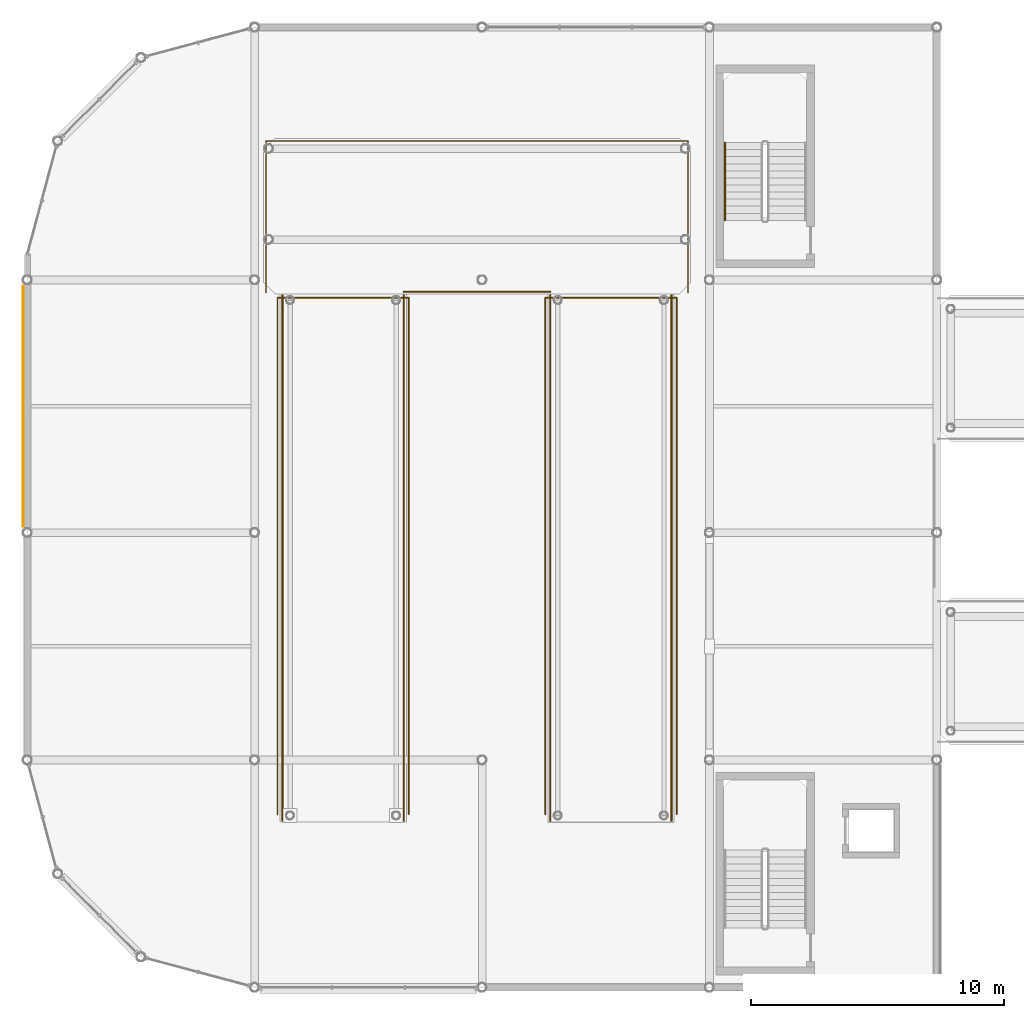
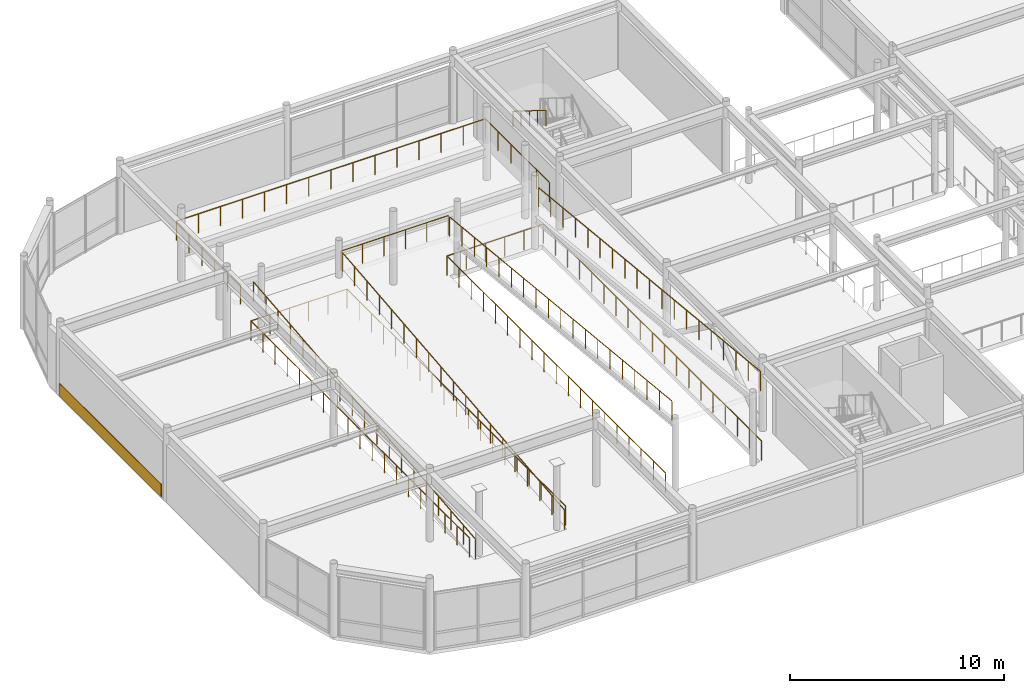
# One storey, part 98 of 108: 9 railings, 1 covering.
"""IFC4 building model written with IfcOpenShell, lengths in metres."""

import ifcopenshell
import ifcopenshell.guid

model = None  # the IFC model being written
_history = None  # IfcOwnerHistory: only IFC2X3 demands one
_inside = {}  # id of a spatial element -> (the spatial element, [elements in it])
_under = {}  # id of a project, library or spatial element -> (it, [spatial elements below it])
_declared = {}  # id of a project -> (the project, [libraries it declares])
_typed = {}  # id of a type object -> (the type object, [elements of that type])
_made_of = {}  # id of a material, layer set ... -> (it, [elements and type objects made of it])


def new_model(schema):
    """Start an empty IFC model of exactly this schema.

    Asked for "IFC4X3", IfcOpenShell would pick the latest addendum, in which some entities
    have other attributes; the version numbers below select the first issue.
    IFC2X3 requires an IfcOwnerHistory on every rooted entity: one is made here for all.
    """
    global model, _history
    if schema == "IFC4X3":
        model = ifcopenshell.file(schema_version=(4, 3, 0, 0))
    else:
        model = ifcopenshell.file(schema=schema)
    _inside.clear()
    _under.clear()
    _declared.clear()
    _typed.clear()
    _made_of.clear()
    _history = None
    if model.schema == "IFC2X3":
        org = make("IfcOrganization", Name="unknown")
        user = make(
            "IfcPersonAndOrganization",
            ThePerson=make("IfcPerson", FamilyName="unknown"),
            TheOrganization=org,
        )
        app = make(
            "IfcApplication",
            ApplicationDeveloper=org,
            Version="unknown",
            ApplicationFullName="unknown",
            ApplicationIdentifier="unknown",
        )
        _history = make(
            "IfcOwnerHistory",
            OwningUser=user,
            OwningApplication=app,
            ChangeAction="ADDED",
            CreationDate=0,
        )
    return model


def make(cls, **values):
    """One entity of the class cls with the attributes given. An attribute that is None is left unset."""
    return model.create_entity(
        cls, **{name: value for name, value in values.items() if value is not None}
    )


def rooted(cls, **values):
    """An entity with a GlobalId (a new one), such as an element, a storey or a relation."""
    return make(cls, GlobalId=ifcopenshell.guid.new(), OwnerHistory=_history, **values)


def si_unit(unit_type, name, prefix=None):
    """IfcSIUnit, for example si_unit("LENGTHUNIT", "METRE", prefix="MILLI")."""
    return make("IfcSIUnit", UnitType=unit_type, Prefix=prefix, Name=name)


def assignment(units):
    """IfcUnitAssignment: the units of a project."""
    return None if units is None else make("IfcUnitAssignment", Units=units)


def point(xyz):
    """IfcCartesianPoint."""
    return None if xyz is None else make("IfcCartesianPoint", Coordinates=xyz)


def direction(xyz):
    """IfcDirection."""
    return None if xyz is None else make("IfcDirection", DirectionRatios=xyz)


def frame(location, z_axis=None, x_axis=None):
    """IfcAxis2Placement3D, a coordinate frame: its origin and axes. An axis left out is left unset."""
    return make(
        "IfcAxis2Placement3D",
        Location=point(location),
        Axis=direction(z_axis),
        RefDirection=direction(x_axis),
    )


def frame_2d(location, x_axis=None):
    """IfcAxis2Placement2D, a coordinate frame in the plane: its origin and x axis."""
    return make(
        "IfcAxis2Placement2D", Location=point(location), RefDirection=direction(x_axis)
    )


def origin():
    """The frame at (0, 0, 0) with its axes left unset."""
    return frame((0.0, 0.0, 0.0))


def origin_2d():
    """The frame at (0, 0) in the plane with its x axis left unset."""
    return frame_2d((0.0, 0.0))


def place(relative_to, where):
    """IfcLocalPlacement: puts the frame where relative to a parent placement (None: the world)."""
    return make(
        "IfcLocalPlacement", PlacementRelTo=relative_to, RelativePlacement=where
    )


def context(
    kind, dimensions, precision=None, world=None, true_north=None, identifier=None
):
    """IfcGeometricRepresentationContext, for example the 3D "Model" context."""
    return make(
        "IfcGeometricRepresentationContext",
        ContextIdentifier=identifier,
        ContextType=kind,
        CoordinateSpaceDimension=dimensions,
        Precision=precision,
        WorldCoordinateSystem=world,
        TrueNorth=true_north,
    )


def subcontext(parent, identifier, kind, view, scale=None):
    """IfcGeometricRepresentationSubContext, for example "Body" below "Model"."""
    return make(
        "IfcGeometricRepresentationSubContext",
        ContextIdentifier=identifier,
        ContextType=kind,
        ParentContext=parent,
        TargetScale=scale,
        TargetView=view,
    )


def project(units=None, contexts=None):
    """IfcProject with its units and contexts."""
    return rooted(
        "IfcProject",
        Name="project",
        RepresentationContexts=contexts,
        UnitsInContext=assignment(units),
    )


def spatial(cls, under=None, at=None, **own):
    """A site, building, storey or space (cls), placed at a placement, below another one or the project."""
    s = rooted(cls, ObjectPlacement=at, **own)
    if under is not None:
        _under.setdefault(under.id(), (under, []))[1].append(s)
    return s


def profile(cls, at=None, kind="AREA", **sizes):
    """A parametric profile (cls). Its sizes go by their IFC names, for example OverallWidth=200.0."""
    return make(cls, ProfileType=kind, Position=at, **sizes)


def rectangle(**sizes):
    """IfcRectangleProfileDef."""
    return profile("IfcRectangleProfileDef", **sizes)


def circle(**sizes):
    """IfcCircleProfileDef."""
    return profile("IfcCircleProfileDef", **sizes)


def extrude(swept, where, along, depth):
    """IfcExtrudedAreaSolid: the profile swept, set in the frame where, extruded along a direction by depth."""
    return make(
        "IfcExtrudedAreaSolid",
        SweptArea=swept,
        Position=where,
        ExtrudedDirection=direction(along),
        Depth=depth,
    )


def shape(context_of_items, identifier, shape_type, items):
    """IfcShapeRepresentation: the items that make up one representation, for example the "Body"."""
    return make(
        "IfcShapeRepresentation",
        ContextOfItems=context_of_items,
        RepresentationIdentifier=identifier,
        RepresentationType=shape_type,
        Items=items,
    )


def material(Name=None, Category=None):
    """IfcMaterial."""
    return make("IfcMaterial", Name=Name, Category=Category)


def layer(
    of_material, thickness, ventilated=None, Name=None, Category=None, Priority=None
):
    """IfcMaterialLayer: one layer of a wall or slab, of a material (None: an air gap)."""
    return make(
        "IfcMaterialLayer",
        Material=of_material,
        LayerThickness=thickness,
        IsVentilated=ventilated,
        Name=Name,
        Category=Category,
        Priority=Priority,
    )


def layer_set(layers, Name=None):
    """IfcMaterialLayerSet."""
    return make("IfcMaterialLayerSet", MaterialLayers=layers, LayerSetName=Name)


def made_of(thing, what):
    """Note that an element or type object is made of a material, layer set ...; save() writes the relation."""
    if what is not None:
        _made_of.setdefault(what.id(), (what, []))[1].append(thing)
    return thing


def type_object(cls, material=None, **own):
    """A type object (cls), such as IfcWallType, which elements share."""
    return made_of(rooted(cls, **own), material)


def element(
    cls,
    number,
    at=None,
    inside=None,
    cuts=None,
    type_object=None,
    material=None,
    context=None,
    identifier="Body",
    shape_type=None,
    held_by="IfcProductDefinitionShape",
    body=None,
    shapes=None,
    **own,
):
    """One element of the class cls, such as IfcWall. Its Tag is "e" and its number.

    at: its placement. inside: the storey or other place that contains it. cuts: it is an
    opening in that element (IfcRelVoidsElement). A single representation is given by context,
    identifier, shape_type and body (its items); several are given by shapes. held_by: the class
    of the entity that holds the representations. save() writes the other relations.
    """
    e = rooted(cls, Tag="e%d" % number, ObjectPlacement=at, **own)
    if body is not None:
        shapes = [shape(context, identifier, shape_type, body)]
    if shapes is not None:
        e.Representation = make(held_by, Representations=shapes)
    if inside is not None:
        _inside.setdefault(inside.id(), (inside, []))[1].append(e)
    if cuts is not None:
        rooted(
            "IfcRelVoidsElement", RelatingBuildingElement=cuts, RelatedOpeningElement=e
        )
    if type_object is not None:
        _typed.setdefault(type_object.id(), (type_object, []))[1].append(e)
    return made_of(e, material)


def aggregate(whole, parts):
    """IfcRelAggregates: a whole, such as a stair, and the parts it consists of."""
    return rooted("IfcRelAggregates", RelatingObject=whole, RelatedObjects=parts)


def save(model, path):
    """Write the relations noted so far, then the file.

    IfcRelAggregates (storeys below a building ...), IfcRelContainedInSpatialStructure (elements
    in a storey), IfcRelDefinesByType, IfcRelAssociatesMaterial and IfcRelDeclares: one each for
    every whole, place, type object, material and project.
    """
    for whole, parts in _under.values():
        aggregate(whole, parts)
    for where, things in _inside.values():
        rooted(
            "IfcRelContainedInSpatialStructure",
            RelatedElements=things,
            RelatingStructure=where,
        )
    for kind, things in _typed.values():
        rooted("IfcRelDefinesByType", RelatedObjects=things, RelatingType=kind)
    for what, things in _made_of.values():
        rooted("IfcRelAssociatesMaterial", RelatedObjects=things, RelatingMaterial=what)
    for by, libraries in _declared.values():
        rooted("IfcRelDeclares", RelatingContext=by, RelatedDefinitions=libraries)
    model.write(path)


model = new_model("IFC4")

# Units and contexts
model_context = context("Model", 3, precision=1e-05, world=origin(), true_north=direction((0.0, 1.0)))
body_context = subcontext(model_context, "Body", "Model", "MODEL_VIEW")
ifc_project = project(units=[si_unit("LENGTHUNIT", "METRE"), si_unit("AREAUNIT", "SQUARE_METRE"), si_unit("VOLUMEUNIT", "CUBIC_METRE"), si_unit("PLANEANGLEUNIT", "RADIAN"), si_unit("MASSUNIT", "GRAM", prefix="KILO")], contexts=[model_context])

# Site, building, storey
site_placement = place(None, origin())
site = spatial("IfcSite", under=ifc_project, at=site_placement, CompositionType="ELEMENT")
building_placement = place(site_placement, origin())
building = spatial("IfcBuilding", under=site, at=building_placement, Name="Suzunagisa Mobility Hub", CompositionType="ELEMENT")
storey_placement = place(building_placement, frame((0.0, 0.0, 9.300048828125)))
storey = spatial("IfcBuildingStorey", under=building, at=storey_placement, Name="L02", CompositionType="ELEMENT", Elevation=9.300048828125)

# Railings
ifc_material_1 = material(Name="Stainless Steel SUS304", Category="metal")
railing_type_1 = type_object("IfcRailingType", Name="Interior Well Guardrail IGR-01", PredefinedType="GUARDRAIL", material=ifc_material_1)
railing_1_placement = place(storey_placement, frame((9.89990234375, 86.85009765625, 0.0)))
element("IfcRailing", 1, at=railing_1_placement, inside=storey, type_object=railing_type_1, Name="L02 Helical Ramp Up-Well Guardrail RG-34", PredefinedType="GUARDRAIL", context=body_context, shape_type="SweptSolid", body=[
    extrude(circle(Radius=0.02392578125, at=origin_2d()), frame((0.0, 0.0, 1.09619140625), z_axis=(0.0, 1.0, 0.0), x_axis=(-1.0, 0.0, 0.0)), (0.0, 0.0, 1.0), 20.449951171875),
    extrude(circle(Radius=0.02392578125, at=origin_2d()), frame((0.0, 20.449951171875, 1.09619140625), z_axis=(1.0, 0.0, 0.0), x_axis=(0.0, 1.0, 0.0)), (0.0, 0.0, 1.0), 5.2001953125),
    extrude(circle(Radius=0.02392578125, at=origin_2d()), frame((5.2001953125, 20.449951171875, 1.09619140625), z_axis=(0.0, -1.0, 0.0), x_axis=(1.0, 0.0, 0.0)), (0.0, 0.0, 1.0), 20.449951171875),
    extrude(circle(Radius=0.02099609375, at=origin_2d()), origin(), (0.0, 0.0, 1.0), 1.072021484375),
    extrude(circle(Radius=0.02099609375, at=origin_2d()), frame((0.0, 1.13623046875, 0.0)), (0.0, 0.0, 1.0), 1.072021484375),
    extrude(circle(Radius=0.02099609375, at=origin_2d()), frame((0.0, 2.272216796875, 0.0)), (0.0, 0.0, 1.0), 1.072021484375),
    extrude(circle(Radius=0.02099609375, at=origin_2d()), frame((0.0, 3.408203125, 0.0)), (0.0, 0.0, 1.0), 1.072021484375),
    extrude(circle(Radius=0.02099609375, at=origin_2d()), frame((0.0, 4.54443359375, 0.0)), (0.0, 0.0, 1.0), 1.072021484375),
    extrude(circle(Radius=0.02099609375, at=origin_2d()), frame((0.0, 5.6806640625, 0.0)), (0.0, 0.0, 1.0), 1.072021484375),
    extrude(circle(Radius=0.02099609375, at=origin_2d()), frame((0.0, 6.816650390625, 0.0)), (0.0, 0.0, 1.0), 1.072021484375),
    extrude(circle(Radius=0.02099609375, at=origin_2d()), frame((0.0, 7.95263671875, 0.0)), (0.0, 0.0, 1.0), 1.072021484375),
    extrude(circle(Radius=0.02099609375, at=origin_2d()), frame((0.0, 9.0888671875, 0.0)), (0.0, 0.0, 1.0), 1.072021484375),
    extrude(circle(Radius=0.02099609375, at=origin_2d()), frame((0.0, 10.22509765625, 0.0)), (0.0, 0.0, 1.0), 1.072021484375),
    extrude(circle(Radius=0.02099609375, at=origin_2d()), frame((0.0, 11.361083984375, 0.0)), (0.0, 0.0, 1.0), 1.072021484375),
    extrude(circle(Radius=0.02099609375, at=origin_2d()), frame((0.0, 12.497314453125, 0.0)), (0.0, 0.0, 1.0), 1.072021484375),
    extrude(circle(Radius=0.02099609375, at=origin_2d()), frame((0.0, 13.63330078125, 0.0)), (0.0, 0.0, 1.0), 1.072021484375),
    extrude(circle(Radius=0.02099609375, at=origin_2d()), frame((0.0, 14.76953125, 0.0)), (0.0, 0.0, 1.0), 1.072021484375),
    extrude(circle(Radius=0.02099609375, at=origin_2d()), frame((0.0, 15.905517578125, 0.0)), (0.0, 0.0, 1.0), 1.072021484375),
    extrude(circle(Radius=0.02099609375, at=origin_2d()), frame((0.0, 17.04150390625, 0.0)), (0.0, 0.0, 1.0), 1.072021484375),
    extrude(circle(Radius=0.02099609375, at=origin_2d()), frame((0.0, 18.177734375, 0.0)), (0.0, 0.0, 1.0), 1.072021484375),
    extrude(circle(Radius=0.02099609375, at=origin_2d()), frame((0.0, 19.31396484375, 0.0)), (0.0, 0.0, 1.0), 1.072021484375),
    extrude(circle(Radius=0.02099609375, at=origin_2d()), frame((0.0, 20.449951171875, 0.0)), (0.0, 0.0, 1.0), 1.072021484375),
    extrude(circle(Radius=0.02099609375, at=origin_2d()), frame((1.0400390625, 20.449951171875, 0.0)), (0.0, 0.0, 1.0), 1.072021484375),
    extrude(circle(Radius=0.02099609375, at=origin_2d()), frame((2.080078125, 20.449951171875, 0.0)), (0.0, 0.0, 1.0), 1.072021484375),
    extrude(circle(Radius=0.02099609375, at=origin_2d()), frame((3.1201171875, 20.449951171875, 0.0)), (0.0, 0.0, 1.0), 1.072021484375),
    extrude(circle(Radius=0.02099609375, at=origin_2d()), frame((4.16015625, 20.449951171875, 0.0)), (0.0, 0.0, 1.0), 1.072021484375),
    extrude(circle(Radius=0.02099609375, at=origin_2d()), frame((5.2001953125, 20.449951171875, 0.0)), (0.0, 0.0, 1.0), 1.072021484375),
    extrude(circle(Radius=0.02099609375, at=origin_2d()), frame((5.2001953125, 19.31396484375, 0.0)), (0.0, 0.0, 1.0), 1.072021484375),
    extrude(circle(Radius=0.02099609375, at=origin_2d()), frame((5.2001953125, 18.177734375, 0.0)), (0.0, 0.0, 1.0), 1.072021484375),
    extrude(circle(Radius=0.02099609375, at=origin_2d()), frame((5.2001953125, 17.04150390625, 0.0)), (0.0, 0.0, 1.0), 1.072021484375),
    extrude(circle(Radius=0.02099609375, at=origin_2d()), frame((5.2001953125, 15.905517578125, 0.0)), (0.0, 0.0, 1.0), 1.072021484375),
    extrude(circle(Radius=0.02099609375, at=origin_2d()), frame((5.2001953125, 14.76953125, 0.0)), (0.0, 0.0, 1.0), 1.072021484375),
    extrude(circle(Radius=0.02099609375, at=origin_2d()), frame((5.2001953125, 13.63330078125, 0.0)), (0.0, 0.0, 1.0), 1.072021484375),
    extrude(circle(Radius=0.02099609375, at=origin_2d()), frame((5.2001953125, 12.4970703125, 0.0)), (0.0, 0.0, 1.0), 1.072021484375),
    extrude(circle(Radius=0.02099609375, at=origin_2d()), frame((5.2001953125, 11.361083984375, 0.0)), (0.0, 0.0, 1.0), 1.072021484375),
    extrude(circle(Radius=0.02099609375, at=origin_2d()), frame((5.2001953125, 10.22509765625, 0.0)), (0.0, 0.0, 1.0), 1.072021484375),
    extrude(circle(Radius=0.02099609375, at=origin_2d()), frame((5.2001953125, 9.0888671875, 0.0)), (0.0, 0.0, 1.0), 1.072021484375),
    extrude(circle(Radius=0.02099609375, at=origin_2d()), frame((5.2001953125, 7.95263671875, 0.0)), (0.0, 0.0, 1.0), 1.072021484375),
    extrude(circle(Radius=0.02099609375, at=origin_2d()), frame((5.2001953125, 6.816650390625, 0.0)), (0.0, 0.0, 1.0), 1.072021484375),
    extrude(circle(Radius=0.02099609375, at=origin_2d()), frame((5.2001953125, 5.6806640625, 0.0)), (0.0, 0.0, 1.0), 1.072021484375),
    extrude(circle(Radius=0.02099609375, at=origin_2d()), frame((5.2001953125, 4.54443359375, 0.0)), (0.0, 0.0, 1.0), 1.072021484375),
    extrude(circle(Radius=0.02099609375, at=origin_2d()), frame((5.2001953125, 3.408203125, 0.0)), (0.0, 0.0, 1.0), 1.072021484375),
    extrude(circle(Radius=0.02099609375, at=origin_2d()), frame((5.2001953125, 2.272216796875, 0.0)), (0.0, 0.0, 1.0), 1.072021484375),
    extrude(circle(Radius=0.02099609375, at=origin_2d()), frame((5.2001953125, 1.13623046875, 0.0)), (0.0, 0.0, 1.0), 1.072021484375),
    extrude(circle(Radius=0.02099609375, at=origin_2d()), frame((5.2001953125, 0.0, 0.0)), (0.0, 0.0, 1.0), 1.072021484375),
])
railing_2_placement = place(storey_placement, frame((20.5, 86.85009765625, 0.0)))
element("IfcRailing", 2, at=railing_2_placement, inside=storey, type_object=railing_type_1, Name="L02 Helical Ramp Arrival Well Guardrail RG-35", PredefinedType="GUARDRAIL", context=body_context, shape_type="SweptSolid", body=[
    extrude(circle(Radius=0.02392578125, at=origin_2d()), frame((0.0, 0.0, 1.09619140625), z_axis=(0.0, 1.0, 0.0), x_axis=(-1.0, 0.0, 0.0)), (0.0, 0.0, 1.0), 20.449951171875),
    extrude(circle(Radius=0.02392578125, at=origin_2d()), frame((0.0, 20.449951171875, 1.09619140625), z_axis=(1.0, 0.0, 0.0), x_axis=(0.0, 1.0, 0.0)), (0.0, 0.0, 1.0), 5.199951171875),
    extrude(circle(Radius=0.02392578125, at=origin_2d()), frame((5.199951171875, 20.449951171875, 1.09619140625), z_axis=(0.0, -1.0, 0.0), x_axis=(1.0, 0.0, 0.0)), (0.0, 0.0, 1.0), 20.449951171875),
    extrude(circle(Radius=0.02099609375, at=origin_2d()), origin(), (0.0, 0.0, 1.0), 1.072021484375),
    extrude(circle(Radius=0.02099609375, at=origin_2d()), frame((0.0, 1.13623046875, 0.0)), (0.0, 0.0, 1.0), 1.072021484375),
    extrude(circle(Radius=0.02099609375, at=origin_2d()), frame((0.0, 2.272216796875, 0.0)), (0.0, 0.0, 1.0), 1.072021484375),
    extrude(circle(Radius=0.02099609375, at=origin_2d()), frame((0.0, 3.408203125, 0.0)), (0.0, 0.0, 1.0), 1.072021484375),
    extrude(circle(Radius=0.02099609375, at=origin_2d()), frame((0.0, 4.54443359375, 0.0)), (0.0, 0.0, 1.0), 1.072021484375),
    extrude(circle(Radius=0.02099609375, at=origin_2d()), frame((0.0, 5.6806640625, 0.0)), (0.0, 0.0, 1.0), 1.072021484375),
    extrude(circle(Radius=0.02099609375, at=origin_2d()), frame((0.0, 6.816650390625, 0.0)), (0.0, 0.0, 1.0), 1.072021484375),
    extrude(circle(Radius=0.02099609375, at=origin_2d()), frame((0.0, 7.95263671875, 0.0)), (0.0, 0.0, 1.0), 1.072021484375),
    extrude(circle(Radius=0.02099609375, at=origin_2d()), frame((0.0, 9.0888671875, 0.0)), (0.0, 0.0, 1.0), 1.072021484375),
    extrude(circle(Radius=0.02099609375, at=origin_2d()), frame((0.0, 10.22509765625, 0.0)), (0.0, 0.0, 1.0), 1.072021484375),
    extrude(circle(Radius=0.02099609375, at=origin_2d()), frame((0.0, 11.361083984375, 0.0)), (0.0, 0.0, 1.0), 1.072021484375),
    extrude(circle(Radius=0.02099609375, at=origin_2d()), frame((0.0, 12.497314453125, 0.0)), (0.0, 0.0, 1.0), 1.072021484375),
    extrude(circle(Radius=0.02099609375, at=origin_2d()), frame((0.0, 13.63330078125, 0.0)), (0.0, 0.0, 1.0), 1.072021484375),
    extrude(circle(Radius=0.02099609375, at=origin_2d()), frame((0.0, 14.76953125, 0.0)), (0.0, 0.0, 1.0), 1.072021484375),
    extrude(circle(Radius=0.02099609375, at=origin_2d()), frame((0.0, 15.905517578125, 0.0)), (0.0, 0.0, 1.0), 1.072021484375),
    extrude(circle(Radius=0.02099609375, at=origin_2d()), frame((0.0, 17.04150390625, 0.0)), (0.0, 0.0, 1.0), 1.072021484375),
    extrude(circle(Radius=0.02099609375, at=origin_2d()), frame((0.0, 18.177734375, 0.0)), (0.0, 0.0, 1.0), 1.072021484375),
    extrude(circle(Radius=0.02099609375, at=origin_2d()), frame((0.0, 19.31396484375, 0.0)), (0.0, 0.0, 1.0), 1.072021484375),
    extrude(circle(Radius=0.02099609375, at=origin_2d()), frame((0.0, 20.449951171875, 0.0)), (0.0, 0.0, 1.0), 1.072021484375),
    extrude(circle(Radius=0.02099609375, at=origin_2d()), frame((1.0400390625, 20.449951171875, 0.0)), (0.0, 0.0, 1.0), 1.072021484375),
    extrude(circle(Radius=0.02099609375, at=origin_2d()), frame((2.080078125, 20.449951171875, 0.0)), (0.0, 0.0, 1.0), 1.072021484375),
    extrude(circle(Radius=0.02099609375, at=origin_2d()), frame((3.119873046875, 20.449951171875, 0.0)), (0.0, 0.0, 1.0), 1.072021484375),
    extrude(circle(Radius=0.02099609375, at=origin_2d()), frame((4.159912109375, 20.449951171875, 0.0)), (0.0, 0.0, 1.0), 1.072021484375),
    extrude(circle(Radius=0.02099609375, at=origin_2d()), frame((5.199951171875, 20.449951171875, 0.0)), (0.0, 0.0, 1.0), 1.072021484375),
    extrude(circle(Radius=0.02099609375, at=origin_2d()), frame((5.199951171875, 19.31396484375, 0.0)), (0.0, 0.0, 1.0), 1.072021484375),
    extrude(circle(Radius=0.02099609375, at=origin_2d()), frame((5.199951171875, 18.177734375, 0.0)), (0.0, 0.0, 1.0), 1.072021484375),
    extrude(circle(Radius=0.02099609375, at=origin_2d()), frame((5.199951171875, 17.04150390625, 0.0)), (0.0, 0.0, 1.0), 1.072021484375),
    extrude(circle(Radius=0.02099609375, at=origin_2d()), frame((5.199951171875, 15.905517578125, 0.0)), (0.0, 0.0, 1.0), 1.072021484375),
    extrude(circle(Radius=0.02099609375, at=origin_2d()), frame((5.199951171875, 14.76953125, 0.0)), (0.0, 0.0, 1.0), 1.072021484375),
    extrude(circle(Radius=0.02099609375, at=origin_2d()), frame((5.199951171875, 13.63330078125, 0.0)), (0.0, 0.0, 1.0), 1.072021484375),
    extrude(circle(Radius=0.02099609375, at=origin_2d()), frame((5.199951171875, 12.4970703125, 0.0)), (0.0, 0.0, 1.0), 1.072021484375),
    extrude(circle(Radius=0.02099609375, at=origin_2d()), frame((5.199951171875, 11.361083984375, 0.0)), (0.0, 0.0, 1.0), 1.072021484375),
    extrude(circle(Radius=0.02099609375, at=origin_2d()), frame((5.199951171875, 10.22509765625, 0.0)), (0.0, 0.0, 1.0), 1.072021484375),
    extrude(circle(Radius=0.02099609375, at=origin_2d()), frame((5.199951171875, 9.0888671875, 0.0)), (0.0, 0.0, 1.0), 1.072021484375),
    extrude(circle(Radius=0.02099609375, at=origin_2d()), frame((5.199951171875, 7.95263671875, 0.0)), (0.0, 0.0, 1.0), 1.072021484375),
    extrude(circle(Radius=0.02099609375, at=origin_2d()), frame((5.199951171875, 6.816650390625, 0.0)), (0.0, 0.0, 1.0), 1.072021484375),
    extrude(circle(Radius=0.02099609375, at=origin_2d()), frame((5.199951171875, 5.6806640625, 0.0)), (0.0, 0.0, 1.0), 1.072021484375),
    extrude(circle(Radius=0.02099609375, at=origin_2d()), frame((5.199951171875, 4.54443359375, 0.0)), (0.0, 0.0, 1.0), 1.072021484375),
    extrude(circle(Radius=0.02099609375, at=origin_2d()), frame((5.199951171875, 3.408203125, 0.0)), (0.0, 0.0, 1.0), 1.072021484375),
    extrude(circle(Radius=0.02099609375, at=origin_2d()), frame((5.199951171875, 2.272216796875, 0.0)), (0.0, 0.0, 1.0), 1.072021484375),
    extrude(circle(Radius=0.02099609375, at=origin_2d()), frame((5.199951171875, 1.13623046875, 0.0)), (0.0, 0.0, 1.0), 1.072021484375),
    extrude(circle(Radius=0.02099609375, at=origin_2d()), frame((5.199951171875, 0.0, 0.0)), (0.0, 0.0, 1.0), 1.072021484375),
])
railing_3_placement = place(storey_placement, frame((10.10009765625, 86.60009765625, 0.0)))
element("IfcRailing", 3, at=railing_3_placement, inside=storey, type_object=railing_type_1, Name="L02 Vehicle Ramp Up-Flight Side Guard RG-36", PredefinedType="GUARDRAIL", context=body_context, shape_type="SweptSolid", body=[
    extrude(circle(Radius=0.02392578125, at=origin_2d()), frame((0.0, 0.0, 1.09619140625), z_axis=(0.0, 0.994942625084, 0.100444874388), x_axis=(-1.0, 0.0, 0.0)), (0.0, 0.0, 1.0), 20.905517578125),
    extrude(circle(Radius=0.02099609375, at=origin_2d()), origin(), (0.0, 0.0, 1.0), 1.072021484375),
    extrude(circle(Radius=0.02099609375, at=origin_2d()), frame((0.0, 1.155517578125, 0.11669921875)), (0.0, 0.0, 1.0), 1.072021484375),
    extrude(circle(Radius=0.02099609375, at=origin_2d()), frame((0.0, 2.31103515625, 0.2333984375)), (0.0, 0.0, 1.0), 1.072021484375),
    extrude(circle(Radius=0.02099609375, at=origin_2d()), frame((0.0, 3.466552734375, 0.35009765625)), (0.0, 0.0, 1.0), 1.072021484375),
    extrude(circle(Radius=0.02099609375, at=origin_2d()), frame((0.0, 4.6220703125, 0.466552734375)), (0.0, 0.0, 1.0), 1.072021484375),
    extrude(circle(Radius=0.02099609375, at=origin_2d()), frame((0.0, 5.77783203125, 0.583251953125)), (0.0, 0.0, 1.0), 1.072021484375),
    extrude(circle(Radius=0.02099609375, at=origin_2d()), frame((0.0, 6.933349609375, 0.699951171875)), (0.0, 0.0, 1.0), 1.072021484375),
    extrude(circle(Radius=0.02099609375, at=origin_2d()), frame((0.0, 8.0888671875, 0.816650390625)), (0.0, 0.0, 1.0), 1.072021484375),
    extrude(circle(Radius=0.02099609375, at=origin_2d()), frame((0.0, 9.244384765625, 0.933349609375)), (0.0, 0.0, 1.0), 1.072021484375),
    extrude(circle(Radius=0.02099609375, at=origin_2d()), frame((0.0, 10.39990234375, 1.0498046875)), (0.0, 0.0, 1.0), 1.072021484375),
    extrude(circle(Radius=0.02099609375, at=origin_2d()), frame((0.0, 11.555419921875, 1.16650390625)), (0.0, 0.0, 1.0), 1.072021484375),
    extrude(circle(Radius=0.02099609375, at=origin_2d()), frame((0.0, 12.7109375, 1.283203125)), (0.0, 0.0, 1.0), 1.072021484375),
    extrude(circle(Radius=0.02099609375, at=origin_2d()), frame((0.0, 13.866455078125, 1.39990234375)), (0.0, 0.0, 1.0), 1.072021484375),
    extrude(circle(Radius=0.02099609375, at=origin_2d()), frame((0.0, 15.02197265625, 1.5166015625)), (0.0, 0.0, 1.0), 1.072021484375),
    extrude(circle(Radius=0.02099609375, at=origin_2d()), frame((0.0, 16.177734375, 1.63330078125)), (0.0, 0.0, 1.0), 1.072021484375),
    extrude(circle(Radius=0.02099609375, at=origin_2d()), frame((0.0, 17.333251953125, 1.75)), (0.0, 0.0, 1.0), 1.072021484375),
    extrude(circle(Radius=0.02099609375, at=origin_2d()), frame((0.0, 18.48876953125, 1.866455078125)), (0.0, 0.0, 1.0), 1.072021484375),
    extrude(circle(Radius=0.02099609375, at=origin_2d()), frame((0.0, 19.644287109375, 1.983154296875)), (0.0, 0.0, 1.0), 1.072021484375),
    extrude(circle(Radius=0.02099609375, at=origin_2d()), frame((0.0, 20.7998046875, 2.099853515625)), (0.0, 0.0, 1.0), 1.072021484375),
])
railing_4_placement = place(storey_placement, frame((20.699951171875, 107.39990234375, 2.099853515625)))
element("IfcRailing", 4, at=railing_4_placement, inside=storey, type_object=railing_type_1, Name="L02 Vehicle Ramp Upper-Flight Side Guard RG-37", PredefinedType="GUARDRAIL", context=body_context, shape_type="SweptSolid", body=[
    extrude(circle(Radius=0.02392578125, at=origin_2d()), frame((0.0, 0.0, 1.09619140625), z_axis=(0.0, -0.994941457927, 0.100456434822), x_axis=(1.0, 0.0, 0.0)), (0.0, 0.0, 1.0), 20.905517578125),
    extrude(circle(Radius=0.02099609375, at=origin_2d()), origin(), (0.0, 0.0, 1.0), 1.072021484375),
    extrude(circle(Radius=0.02099609375, at=origin_2d()), frame((0.0, -1.155517578125, 0.11669921875)), (0.0, 0.0, 1.0), 1.072021484375),
    extrude(circle(Radius=0.02099609375, at=origin_2d()), frame((0.0, -2.31103515625, 0.2333984375)), (0.0, 0.0, 1.0), 1.072021484375),
    extrude(circle(Radius=0.02099609375, at=origin_2d()), frame((0.0, -3.466552734375, 0.35009765625)), (0.0, 0.0, 1.0), 1.072021484375),
    extrude(circle(Radius=0.02099609375, at=origin_2d()), frame((0.0, -4.6220703125, 0.466796875)), (0.0, 0.0, 1.0), 1.072021484375),
    extrude(circle(Radius=0.02099609375, at=origin_2d()), frame((0.0, -5.77783203125, 0.583251953125)), (0.0, 0.0, 1.0), 1.072021484375),
    extrude(circle(Radius=0.02099609375, at=origin_2d()), frame((0.0, -6.933349609375, 0.699951171875)), (0.0, 0.0, 1.0), 1.072021484375),
    extrude(circle(Radius=0.02099609375, at=origin_2d()), frame((0.0, -8.0888671875, 0.816650390625)), (0.0, 0.0, 1.0), 1.072021484375),
    extrude(circle(Radius=0.02099609375, at=origin_2d()), frame((0.0, -9.244384765625, 0.933349609375)), (0.0, 0.0, 1.0), 1.072021484375),
    extrude(circle(Radius=0.02099609375, at=origin_2d()), frame((0.0, -10.39990234375, 1.050048828125)), (0.0, 0.0, 1.0), 1.072021484375),
    extrude(circle(Radius=0.02099609375, at=origin_2d()), frame((0.0, -11.555419921875, 1.166748046875)), (0.0, 0.0, 1.0), 1.072021484375),
    extrude(circle(Radius=0.02099609375, at=origin_2d()), frame((0.0, -12.7109375, 1.283447265625)), (0.0, 0.0, 1.0), 1.072021484375),
    extrude(circle(Radius=0.02099609375, at=origin_2d()), frame((0.0, -13.866455078125, 1.400146484375)), (0.0, 0.0, 1.0), 1.072021484375),
    extrude(circle(Radius=0.02099609375, at=origin_2d()), frame((0.0, -15.02197265625, 1.516845703125)), (0.0, 0.0, 1.0), 1.072021484375),
    extrude(circle(Radius=0.02099609375, at=origin_2d()), frame((0.0, -16.177734375, 1.63330078125)), (0.0, 0.0, 1.0), 1.072021484375),
    extrude(circle(Radius=0.02099609375, at=origin_2d()), frame((0.0, -17.333251953125, 1.75)), (0.0, 0.0, 1.0), 1.072021484375),
    extrude(circle(Radius=0.02099609375, at=origin_2d()), frame((0.0, -18.48876953125, 1.86669921875)), (0.0, 0.0, 1.0), 1.072021484375),
    extrude(circle(Radius=0.02099609375, at=origin_2d()), frame((0.0, -19.644287109375, 1.9833984375)), (0.0, 0.0, 1.0), 1.072021484375),
    extrude(circle(Radius=0.02099609375, at=origin_2d()), frame((0.0, -20.7998046875, 2.10009765625)), (0.0, 0.0, 1.0), 1.072021484375),
])
railing_5_placement = place(storey_placement, frame((14.89990234375, 86.60009765625, 0.0)))
element("IfcRailing", 5, at=railing_5_placement, inside=storey, type_object=railing_type_1, Name="L02 Vehicle Ramp Up-Flight Side Guard RG-38", PredefinedType="GUARDRAIL", context=body_context, shape_type="SweptSolid", body=[
    extrude(circle(Radius=0.02392578125, at=origin_2d()), frame((0.0, 0.0, 1.09619140625), z_axis=(0.0, 0.994942625084, 0.100444874388), x_axis=(-1.0, 0.0, 0.0)), (0.0, 0.0, 1.0), 20.905517578125),
    extrude(circle(Radius=0.02099609375, at=origin_2d()), origin(), (0.0, 0.0, 1.0), 1.072021484375),
    extrude(circle(Radius=0.02099609375, at=origin_2d()), frame((0.0, 1.155517578125, 0.11669921875)), (0.0, 0.0, 1.0), 1.072021484375),
    extrude(circle(Radius=0.02099609375, at=origin_2d()), frame((0.0, 2.31103515625, 0.2333984375)), (0.0, 0.0, 1.0), 1.072021484375),
    extrude(circle(Radius=0.02099609375, at=origin_2d()), frame((0.0, 3.466552734375, 0.35009765625)), (0.0, 0.0, 1.0), 1.072021484375),
    extrude(circle(Radius=0.02099609375, at=origin_2d()), frame((0.0, 4.6220703125, 0.466552734375)), (0.0, 0.0, 1.0), 1.072021484375),
    extrude(circle(Radius=0.02099609375, at=origin_2d()), frame((0.0, 5.77783203125, 0.583251953125)), (0.0, 0.0, 1.0), 1.072021484375),
    extrude(circle(Radius=0.02099609375, at=origin_2d()), frame((0.0, 6.933349609375, 0.699951171875)), (0.0, 0.0, 1.0), 1.072021484375),
    extrude(circle(Radius=0.02099609375, at=origin_2d()), frame((0.0, 8.0888671875, 0.816650390625)), (0.0, 0.0, 1.0), 1.072021484375),
    extrude(circle(Radius=0.02099609375, at=origin_2d()), frame((0.0, 9.244384765625, 0.933349609375)), (0.0, 0.0, 1.0), 1.072021484375),
    extrude(circle(Radius=0.02099609375, at=origin_2d()), frame((0.0, 10.39990234375, 1.0498046875)), (0.0, 0.0, 1.0), 1.072021484375),
    extrude(circle(Radius=0.02099609375, at=origin_2d()), frame((0.0, 11.555419921875, 1.16650390625)), (0.0, 0.0, 1.0), 1.072021484375),
    extrude(circle(Radius=0.02099609375, at=origin_2d()), frame((0.0, 12.7109375, 1.283203125)), (0.0, 0.0, 1.0), 1.072021484375),
    extrude(circle(Radius=0.02099609375, at=origin_2d()), frame((0.0, 13.866455078125, 1.39990234375)), (0.0, 0.0, 1.0), 1.072021484375),
    extrude(circle(Radius=0.02099609375, at=origin_2d()), frame((0.0, 15.02197265625, 1.5166015625)), (0.0, 0.0, 1.0), 1.072021484375),
    extrude(circle(Radius=0.02099609375, at=origin_2d()), frame((0.0, 16.177734375, 1.63330078125)), (0.0, 0.0, 1.0), 1.072021484375),
    extrude(circle(Radius=0.02099609375, at=origin_2d()), frame((0.0, 17.333251953125, 1.75)), (0.0, 0.0, 1.0), 1.072021484375),
    extrude(circle(Radius=0.02099609375, at=origin_2d()), frame((0.0, 18.48876953125, 1.866455078125)), (0.0, 0.0, 1.0), 1.072021484375),
    extrude(circle(Radius=0.02099609375, at=origin_2d()), frame((0.0, 19.644287109375, 1.983154296875)), (0.0, 0.0, 1.0), 1.072021484375),
    extrude(circle(Radius=0.02099609375, at=origin_2d()), frame((0.0, 20.7998046875, 2.099853515625)), (0.0, 0.0, 1.0), 1.072021484375),
])
railing_6_placement = place(storey_placement, frame((25.5, 107.39990234375, 2.099853515625)))
element("IfcRailing", 6, at=railing_6_placement, inside=storey, type_object=railing_type_1, Name="L02 Vehicle Ramp Upper-Flight Side Guard RG-39", PredefinedType="GUARDRAIL", context=body_context, shape_type="SweptSolid", body=[
    extrude(circle(Radius=0.02392578125, at=origin_2d()), frame((0.0, 0.0, 1.09619140625), z_axis=(0.0, -0.994941457927, 0.100456434822), x_axis=(1.0, 0.0, 0.0)), (0.0, 0.0, 1.0), 20.905517578125),
    extrude(circle(Radius=0.02099609375, at=origin_2d()), origin(), (0.0, 0.0, 1.0), 1.072021484375),
    extrude(circle(Radius=0.02099609375, at=origin_2d()), frame((0.0, -1.155517578125, 0.11669921875)), (0.0, 0.0, 1.0), 1.072021484375),
    extrude(circle(Radius=0.02099609375, at=origin_2d()), frame((0.0, -2.31103515625, 0.2333984375)), (0.0, 0.0, 1.0), 1.072021484375),
    extrude(circle(Radius=0.02099609375, at=origin_2d()), frame((0.0, -3.466552734375, 0.35009765625)), (0.0, 0.0, 1.0), 1.072021484375),
    extrude(circle(Radius=0.02099609375, at=origin_2d()), frame((0.0, -4.6220703125, 0.466796875)), (0.0, 0.0, 1.0), 1.072021484375),
    extrude(circle(Radius=0.02099609375, at=origin_2d()), frame((0.0, -5.77783203125, 0.583251953125)), (0.0, 0.0, 1.0), 1.072021484375),
    extrude(circle(Radius=0.02099609375, at=origin_2d()), frame((0.0, -6.933349609375, 0.699951171875)), (0.0, 0.0, 1.0), 1.072021484375),
    extrude(circle(Radius=0.02099609375, at=origin_2d()), frame((0.0, -8.0888671875, 0.816650390625)), (0.0, 0.0, 1.0), 1.072021484375),
    extrude(circle(Radius=0.02099609375, at=origin_2d()), frame((0.0, -9.244384765625, 0.933349609375)), (0.0, 0.0, 1.0), 1.072021484375),
    extrude(circle(Radius=0.02099609375, at=origin_2d()), frame((0.0, -10.39990234375, 1.050048828125)), (0.0, 0.0, 1.0), 1.072021484375),
    extrude(circle(Radius=0.02099609375, at=origin_2d()), frame((0.0, -11.555419921875, 1.166748046875)), (0.0, 0.0, 1.0), 1.072021484375),
    extrude(circle(Radius=0.02099609375, at=origin_2d()), frame((0.0, -12.7109375, 1.283447265625)), (0.0, 0.0, 1.0), 1.072021484375),
    extrude(circle(Radius=0.02099609375, at=origin_2d()), frame((0.0, -13.866455078125, 1.400146484375)), (0.0, 0.0, 1.0), 1.072021484375),
    extrude(circle(Radius=0.02099609375, at=origin_2d()), frame((0.0, -15.02197265625, 1.516845703125)), (0.0, 0.0, 1.0), 1.072021484375),
    extrude(circle(Radius=0.02099609375, at=origin_2d()), frame((0.0, -16.177734375, 1.63330078125)), (0.0, 0.0, 1.0), 1.072021484375),
    extrude(circle(Radius=0.02099609375, at=origin_2d()), frame((0.0, -17.333251953125, 1.75)), (0.0, 0.0, 1.0), 1.072021484375),
    extrude(circle(Radius=0.02099609375, at=origin_2d()), frame((0.0, -18.48876953125, 1.86669921875)), (0.0, 0.0, 1.0), 1.072021484375),
    extrude(circle(Radius=0.02099609375, at=origin_2d()), frame((0.0, -19.644287109375, 1.9833984375)), (0.0, 0.0, 1.0), 1.072021484375),
    extrude(circle(Radius=0.02099609375, at=origin_2d()), frame((0.0, -20.7998046875, 2.10009765625)), (0.0, 0.0, 1.0), 1.072021484375),
])
railing_7_placement = place(storey_placement, frame((9.449951171875, 107.5, 2.099853515625)))
element("IfcRailing", 7, at=railing_7_placement, inside=storey, type_object=railing_type_1, Name="L02 Vehicle Ramp Turn-Deck Guardrail RG-40", PredefinedType="GUARDRAIL", context=body_context, shape_type="SweptSolid", body=[
    extrude(circle(Radius=0.02392578125, at=origin_2d()), frame((0.0, 0.0, 1.09619140625), z_axis=(0.0, 1.0, 0.0), x_axis=(-1.0, 0.0, 0.0)), (0.0, 0.0, 1.0), 6.0),
    extrude(circle(Radius=0.02392578125, at=origin_2d()), frame((0.0, 6.0, 1.09619140625), z_axis=(1.0, 0.0, 0.0), x_axis=(0.0, 1.0, 0.0)), (0.0, 0.0, 1.0), 16.699951171875),
    extrude(circle(Radius=0.02392578125, at=origin_2d()), frame((16.699951171875, 6.0, 1.09619140625), z_axis=(0.0, -1.0, 0.0), x_axis=(1.0, 0.0, 0.0)), (0.0, 0.0, 1.0), 6.0),
    extrude(circle(Radius=0.02099609375, at=origin_2d()), origin(), (0.0, 0.0, 1.0), 1.072021484375),
    extrude(circle(Radius=0.02099609375, at=origin_2d()), frame((0.0, 1.199951171875, 0.0)), (0.0, 0.0, 1.0), 1.072021484375),
    extrude(circle(Radius=0.02099609375, at=origin_2d()), frame((0.0, 2.39990234375, 0.0)), (0.0, 0.0, 1.0), 1.072021484375),
    extrude(circle(Radius=0.02099609375, at=origin_2d()), frame((0.0, 3.60009765625, 0.0)), (0.0, 0.0, 1.0), 1.072021484375),
    extrude(circle(Radius=0.02099609375, at=origin_2d()), frame((0.0, 4.800048828125, 0.0)), (0.0, 0.0, 1.0), 1.072021484375),
    extrude(circle(Radius=0.02099609375, at=origin_2d()), frame((0.0, 6.0, 0.0)), (0.0, 0.0, 1.0), 1.072021484375),
    extrude(circle(Radius=0.02099609375, at=origin_2d()), frame((1.19287109375, 6.0, 0.0)), (0.0, 0.0, 1.0), 1.072021484375),
    extrude(circle(Radius=0.02099609375, at=origin_2d()), frame((2.3857421875, 6.0, 0.0)), (0.0, 0.0, 1.0), 1.072021484375),
    extrude(circle(Radius=0.02099609375, at=origin_2d()), frame((3.57861328125, 6.0, 0.0)), (0.0, 0.0, 1.0), 1.072021484375),
    extrude(circle(Radius=0.02099609375, at=origin_2d()), frame((4.771484375, 6.0, 0.0)), (0.0, 0.0, 1.0), 1.072021484375),
    extrude(circle(Radius=0.02099609375, at=origin_2d()), frame((5.96435546875, 6.0, 0.0)), (0.0, 0.0, 1.0), 1.072021484375),
    extrude(circle(Radius=0.02099609375, at=origin_2d()), frame((7.1572265625, 6.0, 0.0)), (0.0, 0.0, 1.0), 1.072021484375),
    extrude(circle(Radius=0.02099609375, at=origin_2d()), frame((8.35009765625, 6.0, 0.0)), (0.0, 0.0, 1.0), 1.072021484375),
    extrude(circle(Radius=0.02099609375, at=origin_2d()), frame((9.542724609375, 6.0, 0.0)), (0.0, 0.0, 1.0), 1.072021484375),
    extrude(circle(Radius=0.02099609375, at=origin_2d()), frame((10.735595703125, 6.0, 0.0)), (0.0, 0.0, 1.0), 1.072021484375),
    extrude(circle(Radius=0.02099609375, at=origin_2d()), frame((11.928466796875, 6.0, 0.0)), (0.0, 0.0, 1.0), 1.072021484375),
    extrude(circle(Radius=0.02099609375, at=origin_2d()), frame((13.121337890625, 6.0, 0.0)), (0.0, 0.0, 1.0), 1.072021484375),
    extrude(circle(Radius=0.02099609375, at=origin_2d()), frame((14.314208984375, 6.0, 0.0)), (0.0, 0.0, 1.0), 1.072021484375),
    extrude(circle(Radius=0.02099609375, at=origin_2d()), frame((15.507080078125, 6.0, 0.0)), (0.0, 0.0, 1.0), 1.072021484375),
    extrude(circle(Radius=0.02099609375, at=origin_2d()), frame((16.699951171875, 6.0, 0.0)), (0.0, 0.0, 1.0), 1.072021484375),
    extrude(circle(Radius=0.02099609375, at=origin_2d()), frame((16.699951171875, 4.800048828125, 0.0)), (0.0, 0.0, 1.0), 1.072021484375),
    extrude(circle(Radius=0.02099609375, at=origin_2d()), frame((16.699951171875, 3.60009765625, 0.0)), (0.0, 0.0, 1.0), 1.072021484375),
    extrude(circle(Radius=0.02099609375, at=origin_2d()), frame((16.699951171875, 2.39990234375, 0.0)), (0.0, 0.0, 1.0), 1.072021484375),
    extrude(circle(Radius=0.02099609375, at=origin_2d()), frame((16.699951171875, 1.199951171875, 0.0)), (0.0, 0.0, 1.0), 1.072021484375),
    extrude(circle(Radius=0.02099609375, at=origin_2d()), frame((16.699951171875, 0.0, 0.0)), (0.0, 0.0, 1.0), 1.072021484375),
])
railing_8_placement = place(storey_placement, frame((14.89990234375, 107.530029296875, 2.099853515625)))
element("IfcRailing", 8, at=railing_8_placement, inside=storey, type_object=railing_type_1, Name="L02 Vehicle Ramp Turn-Slot Guardrail RG-41", PredefinedType="GUARDRAIL", context=body_context, shape_type="SweptSolid", body=[
    extrude(circle(Radius=0.02392578125, at=origin_2d()), frame((0.0, 0.0, 1.09619140625), z_axis=(1.0, 0.0, 0.0), x_axis=(0.0, 1.0, 0.0)), (0.0, 0.0, 1.0), 5.800048828125),
    extrude(circle(Radius=0.02099609375, at=origin_2d()), origin(), (0.0, 0.0, 1.0), 1.072021484375),
    extrude(circle(Radius=0.02099609375, at=origin_2d()), frame((1.159912109375, 0.0, 0.0)), (0.0, 0.0, 1.0), 1.072021484375),
    extrude(circle(Radius=0.02099609375, at=origin_2d()), frame((2.320068359375, 0.0, 0.0)), (0.0, 0.0, 1.0), 1.072021484375),
    extrude(circle(Radius=0.02099609375, at=origin_2d()), frame((3.47998046875, 0.0, 0.0)), (0.0, 0.0, 1.0), 1.072021484375),
    extrude(circle(Radius=0.02099609375, at=origin_2d()), frame((4.64013671875, 0.0, 0.0)), (0.0, 0.0, 1.0), 1.072021484375),
    extrude(circle(Radius=0.02099609375, at=origin_2d()), frame((5.800048828125, 0.0, 0.0)), (0.0, 0.0, 1.0), 1.072021484375),
])

# Covering
ifc_material_2 = material(Name="Vitreous Porcelain Enamel Aluminum Cladding", Category="aluminium")
ifc_layer = layer(ifc_material_2, 0.034912109375)
ifc_layer_set = layer_set([ifc_layer], Name="Vitreous Porcelain Enamel Aluminum Cladding")
covering_type = type_object("IfcCoveringType", Name="Porcelain Enamel Spandrel Cladding Band CLD-01", PredefinedType="CLADDING", material=ifc_layer_set)
covering_placement = place(storey_placement, frame((-0.16748046875, 103.0, 0.06005859375), z_axis=(0.0, 0.0, 1.0), x_axis=(0.0, -1.0, 0.0)))
element("IfcCovering", 9, at=covering_placement, inside=storey, type_object=covering_type, Name="L02 Porcelain Spandrel Cladding Band CLD-9", PredefinedType="CLADDING", context=body_context, shape_type="SweptSolid", body=[
    extrude(rectangle(XDim=9.54443359375, YDim=0.034912109375, at=origin_2d()), origin(), (0.0, 0.0, 1.0), 0.719970703125),
])

# Railing
railing_type_2 = type_object("IfcRailingType", Name="Tubular Stainless Stair Handrail IHR-01", PredefinedType="HANDRAIL", material=ifc_material_1)
railing_9_placement = place(storey_placement, frame((27.610107421875, 113.43994140625, 2.27490234375)))
element("IfcRailing", 10, at=railing_9_placement, inside=storey, type_object=railing_type_2, Name="L02 ST-06 stair handrail 2", PredefinedType="HANDRAIL", context=body_context, shape_type="SweptSolid", body=[
    extrude(circle(Radius=0.02392578125, at=origin_2d()), frame((0.0, 0.0, 0.8759765625), z_axis=(0.0, -0.847979421464, 0.530029150871), x_axis=(1.0, 0.0, 0.0)), (0.0, 0.0, 1.0), 3.632080078125),
    extrude(circle(Radius=0.02099609375, at=origin_2d()), origin(), (0.0, 0.0, 1.0), 0.851806640625),
    extrude(circle(Radius=0.02099609375, at=origin_2d()), frame((0.0, -0.77001953125, 0.481201171875)), (0.0, 0.0, 1.0), 0.851806640625),
    extrude(circle(Radius=0.02099609375, at=origin_2d()), frame((0.0, -1.5400390625, 0.96240234375)), (0.0, 0.0, 1.0), 0.851806640625),
    extrude(circle(Radius=0.02099609375, at=origin_2d()), frame((0.0, -2.309814453125, 1.44384765625)), (0.0, 0.0, 1.0), 0.851806640625),
    extrude(circle(Radius=0.02099609375, at=origin_2d()), frame((0.0, -3.079833984375, 1.925048828125)), (0.0, 0.0, 1.0), 0.851806640625),
])

save(model, "model.ifc")
